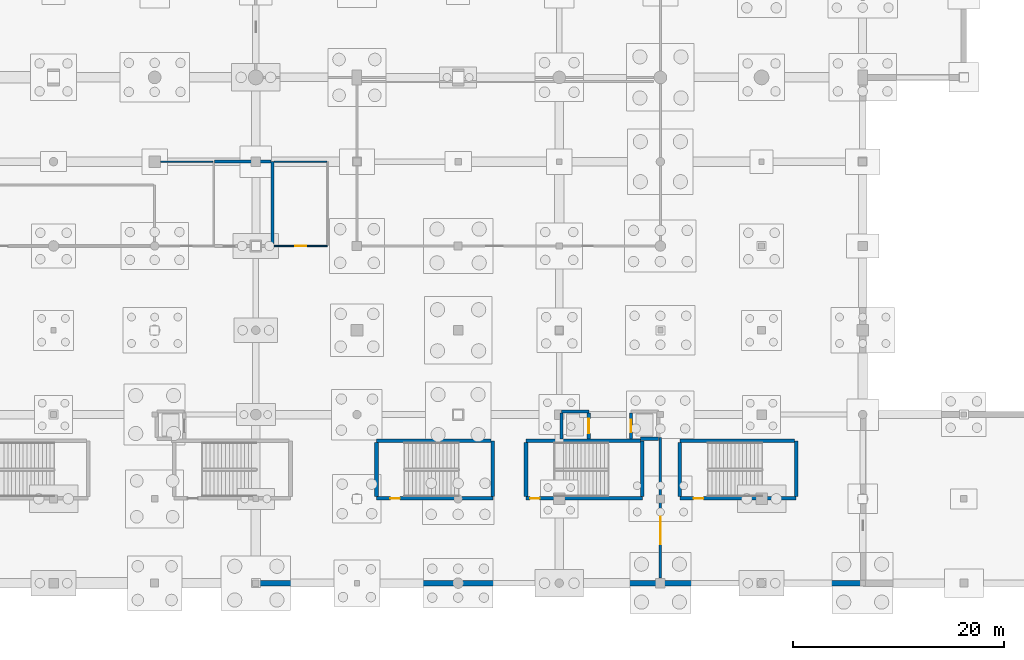
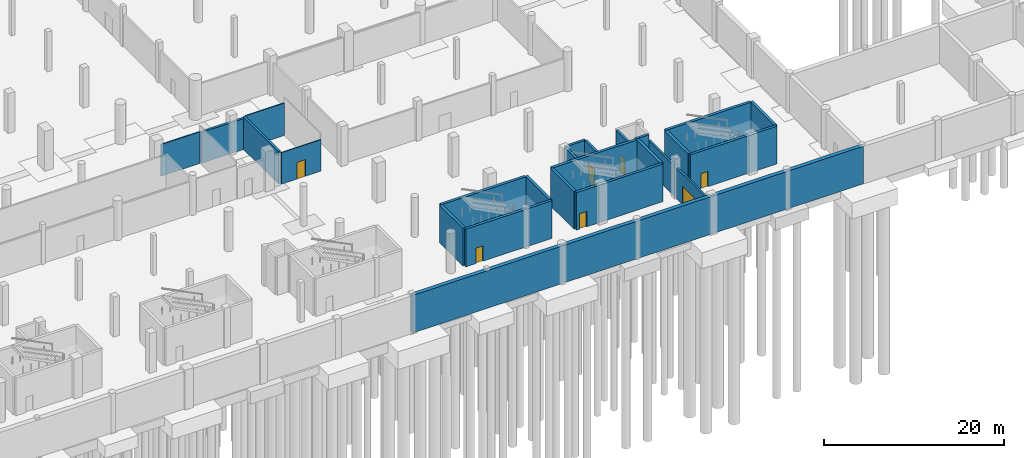
# One storey, part 19 of 44: 24 walls, 7 doors, 7 openings.
"""IFC4 building model written with IfcOpenShell, lengths in metres."""

from ifc_helpers import new_model, si_unit, direction, frame, frame_2d, origin, place, context, subcontext, project, spatial, rectangle, extrude, material, layer, layer_set, type_object, element, fill, save


model = new_model("IFC4")

# Units and contexts
model_context = context("Model", 3, precision=1e-05, world=origin(), true_north=direction((0.0, 1.0)))
body_context = subcontext(model_context, "Body", "Model", "MODEL_VIEW")
ifc_project = project(units=[si_unit("LENGTHUNIT", "METRE"), si_unit("AREAUNIT", "SQUARE_METRE"), si_unit("VOLUMEUNIT", "CUBIC_METRE"), si_unit("PLANEANGLEUNIT", "RADIAN"), si_unit("MASSUNIT", "GRAM", prefix="KILO")], contexts=[model_context])

# Site, building, storey
site_placement = place(None, origin())
site = spatial("IfcSite", under=ifc_project, at=site_placement, CompositionType="ELEMENT")
building_placement = place(site_placement, origin())
building = spatial("IfcBuilding", under=site, at=building_placement, Name="Danafjord Basin Convention Centre", CompositionType="ELEMENT")
storey_placement = place(building_placement, frame((0.0, 0.0, -5.39990234375)))
storey = spatial("IfcBuildingStorey", under=building, at=storey_placement, Name="B1", CompositionType="ELEMENT", Elevation=-5.39990234375)

# Wall
ifc_material_1 = material(Name="Concrete C40/50", Category="concrete")
ifc_layer_1 = layer(ifc_material_1, 0.300048828125)
ifc_layer_set_1 = layer_set([ifc_layer_1], Name="Concrete C40/50")
wall_type_1 = type_object("IfcWallType", Name="WALL-CW-CORE300", PredefinedType="SHEAR", material=ifc_layer_set_1)
wall_1_placement = place(storey_placement, frame((89.199951171875, 24.300048828125, 0.0), z_axis=(0.0, 0.0, 1.0), x_axis=(-1.0, 0.0, 0.0)))
element("IfcWall", 1, at=wall_1_placement, inside=storey, type_object=wall_type_1, Name="Lift LF-FF02 shaft shear wall", PredefinedType="SHEAR", context=body_context, shape_type="SweptSolid", body=[
    extrude(rectangle(XDim=2.599853515625, YDim=0.300048828125, at=frame_2d((1.2998046875, 0.0))), origin(), (0.0, 0.0, 1.0), 5.08984375),
])

# Wall, opening, door
wall_2_placement = place(storey_placement, frame((89.199951171875, 21.6650390625, 0.0), z_axis=(0.0, 0.0, 1.0), x_axis=(0.0, 1.0, 0.0)))
wall_2 = element("IfcWall", 2, at=wall_2_placement, inside=storey, type_object=wall_type_1, Name="Lift LF-FF02 shaft shear wall", PredefinedType="SHEAR", context=body_context, shape_type="SweptSolid", body=[
    extrude(rectangle(XDim=2.5, YDim=0.300048828125, at=frame_2d((1.25, 0.0))), origin(), (0.0, 0.0, 1.0), 5.08984375),
])
opening_1_placement = place(wall_2_placement, frame((0.550048828125, 0.0, 0.0)))
opening_1 = element("IfcOpeningElement", 3, at=opening_1_placement, cuts=wall_2, Name="Opening LD-F01", PredefinedType="OPENING", context=body_context, shape_type="SweptSolid", body=[
    extrude(rectangle(XDim=1.39990234375, YDim=2.260009765625, at=frame_2d((0.699951171875, 1.1298828125))), frame((0.0, 0.159912109375, 0.0), z_axis=(0.0, -1.0, 0.0), x_axis=(1.0, 0.0, 0.0)), (0.0, 0.0, 1.0), 0.320068359375),
])
ifc_material_2 = material(Name="Brushed stainless steel and acoustic laminated glass", Category="steel")
door_type_1 = type_object("IfcDoorType", Name="DOOR-LD-F01", OperationType="DOUBLE_DOOR_SLIDING", PredefinedType="DOOR", material=ifc_material_2)
door_1_placement = place(opening_1_placement, origin())
door_1 = element("IfcDoor", 4, at=door_1_placement, inside=storey, type_object=door_type_1, Name="Lift LF-FF02 B1 Landing Door", OperationType="DOUBLE_DOOR_SLIDING", OverallHeight=2.260009765625, OverallWidth=1.39990234375, PredefinedType="DOOR", context=body_context, shape_type="SweptSolid", body=[
    extrude(rectangle(XDim=1.39990234375, YDim=2.260009765625, at=frame_2d((0.699951171875, 1.1298828125))), frame((0.0, 0.02490234375, 0.0), z_axis=(0.0, -1.0, 0.0), x_axis=(1.0, 0.0, 0.0)), (0.0, 0.0, 1.0), 0.050048828125),
])
fill(opening_1, door_1)

# Walls
wall_3_placement = place(storey_placement, frame((86.60009765625, 24.1650390625, 0.0), z_axis=(0.0, 0.0, 1.0), x_axis=(0.0, -1.0, 0.0)))
element("IfcWall", 5, at=wall_3_placement, inside=storey, type_object=wall_type_1, Name="Lift LF-FF02 shaft shear wall", PredefinedType="SHEAR", context=body_context, shape_type="SweptSolid", body=[
    extrude(rectangle(XDim=2.5, YDim=0.300048828125, at=frame_2d((1.25, 0.0))), origin(), (0.0, 0.0, 1.0), 5.08984375),
])
wall_4_placement = place(storey_placement, frame((94.110107421875, 21.699951171875, 0.0), z_axis=(0.0, 0.0, 1.0), x_axis=(1.0, 0.0, 0.0)))
element("IfcWall", 6, at=wall_4_placement, inside=storey, type_object=wall_type_1, Name="Lift LF-P02 shaft shear wall", PredefinedType="SHEAR", context=body_context, shape_type="SweptSolid", body=[
    extrude(rectangle(XDim=1.68994140625, YDim=0.300048828125, at=frame_2d((0.844970703125, 0.0))), origin(), (0.0, 0.0, 1.0), 5.08984375),
])

# Wall, opening, door
wall_5_placement = place(storey_placement, frame((93.199951171875, 24.1650390625, 0.0), z_axis=(0.0, 0.0, 1.0), x_axis=(0.0, -1.0, 0.0)))
wall_5 = element("IfcWall", 7, at=wall_5_placement, inside=storey, type_object=wall_type_1, Name="Lift LF-P02 shaft shear wall", PredefinedType="SHEAR", context=body_context, shape_type="SweptSolid", body=[
    extrude(rectangle(XDim=2.5, YDim=0.300048828125, at=frame_2d((1.25, 0.0))), origin(), (0.0, 0.0, 1.0), 5.08984375),
])
opening_2_placement = place(wall_5_placement, frame((0.64990234375, 0.0, 0.0)))
opening_2 = element("IfcOpeningElement", 8, at=opening_2_placement, cuts=wall_5, Name="Opening LD-P01", PredefinedType="OPENING", context=body_context, shape_type="SweptSolid", body=[
    extrude(rectangle(XDim=1.199951171875, YDim=2.199951171875, at=frame_2d((0.60009765625, 1.10009765625))), frame((0.0, 0.159912109375, 0.0), z_axis=(0.0, -1.0, 0.0), x_axis=(1.0, 0.0, 0.0)), (0.0, 0.0, 1.0), 0.320068359375),
])
door_type_2 = type_object("IfcDoorType", Name="DOOR-LD-P01", OperationType="DOUBLE_DOOR_SLIDING", PredefinedType="DOOR", material=ifc_material_2)
door_2_placement = place(opening_2_placement, origin())
door_2 = element("IfcDoor", 9, at=door_2_placement, inside=storey, type_object=door_type_2, Name="Lift LF-P02 B1 Landing Door", OperationType="DOUBLE_DOOR_SLIDING", OverallHeight=2.199951171875, OverallWidth=1.199951171875, PredefinedType="DOOR", context=body_context, shape_type="SweptSolid", body=[
    extrude(rectangle(XDim=1.199951171875, YDim=2.199951171875, at=frame_2d((0.60009765625, 1.10009765625))), frame((0.0, 0.02490234375, 0.0), z_axis=(0.0, -1.0, 0.0), x_axis=(1.0, 0.0, 0.0)), (0.0, 0.0, 1.0), 0.050048828125),
])
fill(opening_2, door_2)

ifc_material_3 = material(Name="Concrete C45/55", Category="concrete")
ifc_layer_2 = layer(ifc_material_3, 0.35009765625)
ifc_layer_set_2 = layer_set([ifc_layer_2], Name="Concrete C45/55")
wall_type_2 = type_object("IfcWallType", Name="WALL-CW-CORE350", PredefinedType="SHEAR", material=ifc_layer_set_2)
wall_6_placement = place(storey_placement, frame((83.25, 16.050048828125, 0.0), z_axis=(0.0, 0.0, 1.0), x_axis=(1.0, 0.0, 0.0)))
wall_6 = element("IfcWall", 10, at=wall_6_placement, inside=storey, type_object=wall_type_2, Name="Central Harbour Core Stair 1 core shear wall (south)", PredefinedType="SHEAR", context=body_context, shape_type="SweptSolid", body=[
    extrude(rectangle(XDim=11.0400390625, YDim=0.35009765625, at=frame_2d((5.52001953125, 0.0))), origin(), (0.0, 0.0, 1.0), 5.08984375),
])
opening_3_placement = place(wall_6_placement, frame((0.3798828125, 0.0, 0.0)))
opening_3 = element("IfcOpeningElement", 11, at=opening_3_placement, cuts=wall_6, Name="Opening FD-S01", PredefinedType="OPENING", context=body_context, shape_type="SweptSolid", body=[
    extrude(rectangle(XDim=0.909912109375, YDim=2.080078125, at=frame_2d((0.455078125, 1.0400390625))), frame((0.0, 0.18505859375, 0.0), z_axis=(0.0, -1.0, 0.0), x_axis=(1.0, 0.0, 0.0)), (0.0, 0.0, 1.0), 0.3701171875),
])
ifc_material_4 = material(Name="Powder-coated steel and Nordic oak", Category="steel")
door_type_3 = type_object("IfcDoorType", Name="DOOR-FD-S01", OperationType="NOTDEFINED", PredefinedType="DOOR", material=ifc_material_4)
door_3_placement = place(opening_3_placement, origin())
door_3 = element("IfcDoor", 12, at=door_3_placement, inside=storey, type_object=door_type_3, Name="Central Harbour Core Stair 1 B1 Fire Exit Door", OperationType="SINGLE_SWING_LEFT", OverallHeight=2.080078125, OverallWidth=0.909912109375, PredefinedType="DOOR", context=body_context, shape_type="SweptSolid", body=[
    extrude(rectangle(XDim=0.909912109375, YDim=2.080078125, at=frame_2d((0.455078125, 1.0400390625))), frame((0.0, 0.02490234375, 0.0), z_axis=(0.0, -1.0, 0.0), x_axis=(1.0, 0.0, 0.0)), (0.0, 0.0, 1.0), 0.050048828125),
])
fill(opening_3, door_3)

# Walls
wall_7_placement = place(storey_placement, frame((94.2900390625, 16.2099609375, 0.0), z_axis=(0.0, 0.0, 1.0), x_axis=(0.0, 1.0, 0.0)))
element("IfcWall", 13, at=wall_7_placement, inside=storey, type_object=wall_type_2, Name="Central Harbour Core Stair 1 core shear wall (east)", PredefinedType="SHEAR", context=body_context, shape_type="SweptSolid", body=[
    extrude(rectangle(XDim=5.300048828125, YDim=0.35009765625, at=frame_2d((2.64990234375, 0.0))), origin(), (0.0, 0.0, 1.0), 5.08984375),
])
wall_8_placement = place(storey_placement, frame((94.1298828125, 21.510009765625, 0.0), z_axis=(0.0, 0.0, 1.0), x_axis=(-1.0, 0.0, 0.0)))
element("IfcWall", 14, at=wall_8_placement, inside=storey, type_object=wall_type_2, Name="Central Harbour Core Stair 1 core shear wall (north)", PredefinedType="SHEAR", context=body_context, shape_type="SweptSolid", body=[
    extrude(rectangle(XDim=10.8798828125, YDim=0.35009765625, at=frame_2d((5.43994140625, 0.0))), origin(), (0.0, 0.0, 1.0), 5.08984375),
])
wall_9_placement = place(storey_placement, frame((83.25, 21.35009765625, 0.0), z_axis=(0.0, 0.0, 1.0), x_axis=(0.0, -1.0, 0.0)))
element("IfcWall", 15, at=wall_9_placement, inside=storey, type_object=wall_type_2, Name="Central Harbour Core Stair 1 core shear wall (west)", PredefinedType="SHEAR", context=body_context, shape_type="SweptSolid", body=[
    extrude(rectangle(XDim=5.14013671875, YDim=0.35009765625, at=frame_2d((2.570068359375, 0.0))), origin(), (0.0, 0.0, 1.0), 5.08984375),
])

# Wall, opening, door
wall_10_placement = place(storey_placement, frame((97.85009765625, 16.050048828125, 0.0), z_axis=(0.0, 0.0, 1.0), x_axis=(1.0, 0.0, 0.0)))
wall_10 = element("IfcWall", 16, at=wall_10_placement, inside=storey, type_object=wall_type_2, Name="East Harbour Escape Stair 2 core shear wall (south)", PredefinedType="SHEAR", context=body_context, shape_type="SweptSolid", body=[
    extrude(rectangle(XDim=11.039794921875, YDim=0.35009765625, at=frame_2d((5.52001953125, 0.0))), origin(), (0.0, 0.0, 1.0), 5.08984375),
])
opening_4_placement = place(wall_10_placement, frame((1.31201171875, 0.0, 0.0)))
opening_4 = element("IfcOpeningElement", 17, at=opening_4_placement, cuts=wall_10, Name="Opening FD-S01", PredefinedType="OPENING", context=body_context, shape_type="SweptSolid", body=[
    extrude(rectangle(XDim=0.909912109375, YDim=2.080078125, at=frame_2d((0.455078125, 1.0400390625))), frame((0.0, 0.18505859375, 0.0), z_axis=(0.0, -1.0, 0.0), x_axis=(1.0, 0.0, 0.0)), (0.0, 0.0, 1.0), 0.3701171875),
])
door_4_placement = place(opening_4_placement, origin())
door_4 = element("IfcDoor", 18, at=door_4_placement, inside=storey, type_object=door_type_3, Name="East Harbour Escape Stair 2 B1 Fire Exit Door", OperationType="SINGLE_SWING_LEFT", OverallHeight=2.080078125, OverallWidth=0.909912109375, PredefinedType="DOOR", context=body_context, shape_type="SweptSolid", body=[
    extrude(rectangle(XDim=0.909912109375, YDim=2.080078125, at=frame_2d((0.455078125, 1.0400390625))), frame((0.0, 0.02490234375, 0.0), z_axis=(0.0, -1.0, 0.0), x_axis=(1.0, 0.0, 0.0)), (0.0, 0.0, 1.0), 0.050048828125),
])
fill(opening_4, door_4)

# Walls
wall_11_placement = place(storey_placement, frame((108.889892578125, 16.2099609375, 0.0), z_axis=(0.0, 0.0, 1.0), x_axis=(0.0, 1.0, 0.0)))
element("IfcWall", 19, at=wall_11_placement, inside=storey, type_object=wall_type_2, Name="East Harbour Escape Stair 2 core shear wall (east)", PredefinedType="SHEAR", context=body_context, shape_type="SweptSolid", body=[
    extrude(rectangle(XDim=5.300048828125, YDim=0.35009765625, at=frame_2d((2.64990234375, 0.0))), origin(), (0.0, 0.0, 1.0), 5.08984375),
])
wall_12_placement = place(storey_placement, frame((108.72998046875, 21.510009765625, 0.0), z_axis=(0.0, 0.0, 1.0), x_axis=(-1.0, 0.0, 0.0)))
element("IfcWall", 20, at=wall_12_placement, inside=storey, type_object=wall_type_2, Name="East Harbour Escape Stair 2 core shear wall (north)", PredefinedType="SHEAR", context=body_context, shape_type="SweptSolid", body=[
    extrude(rectangle(XDim=10.8798828125, YDim=0.35009765625, at=frame_2d((5.43994140625, 0.0))), origin(), (0.0, 0.0, 1.0), 5.08984375),
])
wall_13_placement = place(storey_placement, frame((97.85009765625, 21.35009765625, 0.0), z_axis=(0.0, 0.0, 1.0), x_axis=(0.0, -1.0, 0.0)))
element("IfcWall", 21, at=wall_13_placement, inside=storey, type_object=wall_type_2, Name="East Harbour Escape Stair 2 core shear wall (west)", PredefinedType="SHEAR", context=body_context, shape_type="SweptSolid", body=[
    extrude(rectangle(XDim=5.14013671875, YDim=0.35009765625, at=frame_2d((2.570068359375, 0.0))), origin(), (0.0, 0.0, 1.0), 5.08984375),
])

# Wall, opening, door
wall_14_placement = place(storey_placement, frame((69.050048828125, 16.050048828125, 0.0), z_axis=(0.0, 0.0, 1.0), x_axis=(1.0, 0.0, 0.0)))
wall_14 = element("IfcWall", 22, at=wall_14_placement, inside=storey, type_object=wall_type_2, Name="Mid-Arc Escape Stair 2 core shear wall (south)", PredefinedType="SHEAR", context=body_context, shape_type="SweptSolid", body=[
    extrude(rectangle(XDim=11.0400390625, YDim=0.35009765625, at=frame_2d((5.52001953125, 0.0))), origin(), (0.0, 0.0, 1.0), 5.08984375),
])
opening_5_placement = place(wall_14_placement, frame((1.31201171875, 0.0, 0.0)))
opening_5 = element("IfcOpeningElement", 23, at=opening_5_placement, cuts=wall_14, Name="Opening FD-S01", PredefinedType="OPENING", context=body_context, shape_type="SweptSolid", body=[
    extrude(rectangle(XDim=0.909912109375, YDim=2.080078125, at=frame_2d((0.455078125, 1.0400390625))), frame((0.0, 0.18505859375, 0.0), z_axis=(0.0, -1.0, 0.0), x_axis=(1.0, 0.0, 0.0)), (0.0, 0.0, 1.0), 0.3701171875),
])
door_5_placement = place(opening_5_placement, origin())
door_5 = element("IfcDoor", 24, at=door_5_placement, inside=storey, type_object=door_type_3, Name="Mid-Arc Escape Stair 2 B1 Fire Exit Door", OperationType="SINGLE_SWING_RIGHT", OverallHeight=2.080078125, OverallWidth=0.909912109375, PredefinedType="DOOR", context=body_context, shape_type="SweptSolid", body=[
    extrude(rectangle(XDim=0.909912109375, YDim=2.080078125, at=frame_2d((0.455078125, 1.0400390625))), frame((0.0, 0.02490234375, 0.0), z_axis=(0.0, -1.0, 0.0), x_axis=(1.0, 0.0, 0.0)), (0.0, 0.0, 1.0), 0.050048828125),
])
fill(opening_5, door_5)

# Walls
wall_15_placement = place(storey_placement, frame((80.090087890625, 16.2099609375, 0.0), z_axis=(0.0, 0.0, 1.0), x_axis=(0.0, 1.0, 0.0)))
element("IfcWall", 25, at=wall_15_placement, inside=storey, type_object=wall_type_2, Name="Mid-Arc Escape Stair 2 core shear wall (east)", PredefinedType="SHEAR", context=body_context, shape_type="SweptSolid", body=[
    extrude(rectangle(XDim=5.300048828125, YDim=0.35009765625, at=frame_2d((2.64990234375, 0.0))), origin(), (0.0, 0.0, 1.0), 5.08984375),
])
wall_16_placement = place(storey_placement, frame((79.929931640625, 21.510009765625, 0.0), z_axis=(0.0, 0.0, 1.0), x_axis=(-1.0, 0.0, 0.0)))
element("IfcWall", 26, at=wall_16_placement, inside=storey, type_object=wall_type_2, Name="Mid-Arc Escape Stair 2 core shear wall (north)", PredefinedType="SHEAR", context=body_context, shape_type="SweptSolid", body=[
    extrude(rectangle(XDim=10.8798828125, YDim=0.35009765625, at=frame_2d((5.43994140625, 0.0))), origin(), (0.0, 0.0, 1.0), 5.08984375),
])
wall_17_placement = place(storey_placement, frame((69.050048828125, 21.35009765625, 0.0), z_axis=(0.0, 0.0, 1.0), x_axis=(0.0, -1.0, 0.0)))
element("IfcWall", 27, at=wall_17_placement, inside=storey, type_object=wall_type_2, Name="Mid-Arc Escape Stair 2 core shear wall (west)", PredefinedType="SHEAR", context=body_context, shape_type="SweptSolid", body=[
    extrude(rectangle(XDim=5.14013671875, YDim=0.35009765625, at=frame_2d((2.570068359375, 0.0))), origin(), (0.0, 0.0, 1.0), 5.08984375),
])
ifc_layer_3 = layer(ifc_material_1, 0.5)
ifc_layer_set_3 = layer_set([ifc_layer_3], Name="Concrete C40/50")
wall_type_3 = type_object("IfcWallType", Name="WALL-EW-RET500", PredefinedType="SHEAR", material=ifc_layer_set_3)
wall_18_placement = place(storey_placement, frame((115.27001953125, 8.0, 0.0), z_axis=(0.0, 0.0, 1.0), x_axis=(-1.0, 0.0, 0.0)))
element("IfcWall", 28, at=wall_18_placement, inside=storey, type_object=wall_type_3, Name="B1 waterproofed basement retaining wall 26", PredefinedType="SHEAR", context=body_context, shape_type="SweptSolid", body=[
    extrude(rectangle(XDim=57.669921875, YDim=0.5, at=frame_2d((28.8349609375, 0.0))), origin(), (0.0, 0.0, 1.0), 5.08984375),
])
ifc_material_5 = material(Name="Sanitary service-chase stud wall")
ifc_layer_4 = layer(ifc_material_5, 0.284912109375)
ifc_layer_set_4 = layer_set([ifc_layer_4], Name="Sanitary service-chase stud wall")
wall_type_4 = type_object("IfcWallType", Name="WALL-PT-PLB285", PredefinedType="PLUMBINGWALL", material=ifc_layer_set_4)
wall_19_placement = place(storey_placement, frame((59.199951171875, 40.146484375, 0.0), z_axis=(0.0, 0.0, 1.0), x_axis=(0.0, 1.0, 0.0)))
element("IfcWall", 29, at=wall_19_placement, inside=storey, type_object=wall_type_4, Name="Basement Staff Female Toilet east partition", PredefinedType="PLUMBINGWALL", context=body_context, shape_type="SweptSolid", body=[
    extrude(rectangle(XDim=7.853515625, YDim=0.284912109375, at=frame_2d((3.9267578125, 0.0))), origin(), (0.0, 0.0, 1.0), 4.389892578125),
])
wall_20_placement = place(storey_placement, frame((59.053466796875, 48.0, 0.0), z_axis=(0.0, 0.0, 1.0), x_axis=(-1.0, 0.0, 0.0)))
element("IfcWall", 30, at=wall_20_placement, inside=storey, type_object=wall_type_4, Name="Basement Staff Female Toilet north partition", PredefinedType="PLUMBINGWALL", context=body_context, shape_type="SweptSolid", body=[
    extrude(rectangle(XDim=5.389404296875, YDim=0.284912109375, at=frame_2d((2.69482421875, 0.0))), origin(), (0.0, 0.0, 1.0), 4.18994140625),
])
ifc_material_6 = material(Name="Moisture-resistant gypsum stud partition")
ifc_layer_5 = layer(ifc_material_6, 0.1201171875)
ifc_layer_set_5 = layer_set([ifc_layer_5], Name="Moisture-resistant gypsum stud partition")
wall_type_5 = type_object("IfcWallType", Name="WALL-PT-ST120", PredefinedType="PARTITIONING", material=ifc_layer_set_5)
wall_21_placement = place(storey_placement, frame((53.535888671875, 48.0, 0.0), z_axis=(0.0, 0.0, 1.0), x_axis=(-1.0, 0.0, 0.0)))
element("IfcWall", 31, at=wall_21_placement, inside=storey, type_object=wall_type_5, Name="Basement Staff Male Toilet north partition", PredefinedType="PARTITIONING", context=body_context, shape_type="SweptSolid", body=[
    extrude(rectangle(XDim=4.975830078125, YDim=0.1201171875, at=frame_2d((2.48779296875, 0.0))), origin(), (0.0, 0.0, 1.0), 4.289794921875),
])

# Wall, opening, door
wall_22_placement = place(storey_placement, frame((59.346435546875, 40.0, 0.0), z_axis=(0.0, 0.0, 1.0), x_axis=(1.0, 0.0, 0.0)))
wall_22 = element("IfcWall", 32, at=wall_22_placement, inside=storey, type_object=wall_type_5, Name="Basement Accessible WC south partition", PredefinedType="PARTITIONING", context=body_context, shape_type="SweptSolid", body=[
    extrude(rectangle(XDim=5.053466796875, YDim=0.1201171875, at=frame_2d((2.52685546875, 0.0))), origin(), (0.0, 0.0, 1.0), 4.260009765625),
])
opening_6_placement = place(wall_22_placement, frame((1.991943359375, 0.0, 0.0)))
opening_6 = element("IfcOpeningElement", 33, at=opening_6_placement, cuts=wall_22, Name="Opening FD-S14", PredefinedType="OPENING", context=body_context, shape_type="SweptSolid", body=[
    extrude(rectangle(XDim=1.070068359375, YDim=2.260009765625, at=frame_2d((0.53515625, 1.1298828125))), frame((0.0, 0.070068359375, 0.0), z_axis=(0.0, -1.0, 0.0), x_axis=(1.0, 0.0, 0.0)), (0.0, 0.0, 1.0), 0.14013671875),
])
door_type_4 = type_object("IfcDoorType", Name="DOOR-FD-S14", OperationType="NOTDEFINED", PredefinedType="DOOR", material=ifc_material_4)
door_6_placement = place(opening_6_placement, origin())
door_6 = element("IfcDoor", 34, at=door_6_placement, inside=storey, type_object=door_type_4, Name="Basement Accessible WC Entrance Door", OperationType="SINGLE_SWING_RIGHT", OverallHeight=2.260009765625, OverallWidth=1.070068359375, PredefinedType="DOOR", context=body_context, shape_type="SweptSolid", body=[
    extrude(rectangle(XDim=1.070068359375, YDim=2.260009765625, at=frame_2d((0.53515625, 1.1298828125))), frame((0.0, 0.02490234375, 0.0), z_axis=(0.0, -1.0, 0.0), x_axis=(1.0, 0.0, 0.0)), (0.0, 0.0, 1.0), 0.050048828125),
])
fill(opening_6, door_6)

# Wall
wall_23_placement = place(storey_placement, frame((64.3359375, 48.0, 0.0), z_axis=(0.0, 0.0, 1.0), x_axis=(-1.0, 0.0, 0.0)))
element("IfcWall", 35, at=wall_23_placement, inside=storey, type_object=wall_type_5, Name="Basement Accessible WC north partition", PredefinedType="PARTITIONING", context=body_context, shape_type="SweptSolid", body=[
    extrude(rectangle(XDim=4.989501953125, YDim=0.1201171875, at=frame_2d((2.49462890625, 0.0))), origin(), (0.0, 0.0, 1.0), 4.389892578125),
])

# Wall, opening, door
ifc_material_7 = material(Name="Concrete C35/45", Category="concrete")
ifc_layer_6 = layer(ifc_material_7, 0.25)
ifc_layer_set_6 = layer_set([ifc_layer_6], Name="Concrete C35/45")
wall_type_6 = type_object("IfcWallType", Name="WALL-W-COMP250", PredefinedType="SOLIDWALL", material=ifc_layer_set_6)
wall_24_placement = place(storey_placement, frame((96.0, 8.493896484375, 0.0), z_axis=(0.0, 0.0, 1.0), x_axis=(0.0, 1.0, 0.0)))
wall_24 = element("IfcWall", 36, at=wall_24_placement, inside=storey, type_object=wall_type_6, Name="Basement freight marshalling fire compartment wall", PredefinedType="SOLIDWALL", context=body_context, shape_type="SweptSolid", body=[
    extrude(rectangle(XDim=13.3330078125, YDim=0.25, at=frame_2d((6.66650390625, 0.0))), origin(), (0.0, 0.0, 1.0), 4.159912109375),
])
opening_7_placement = place(wall_24_placement, frame((3.219970703125, 0.0, 0.0)))
opening_7 = element("IfcOpeningElement", 37, at=opening_7_placement, cuts=wall_24, Name="Opening GT-01", PredefinedType="OPENING", context=body_context, shape_type="SweptSolid", body=[
    extrude(rectangle(XDim=2.60009765625, YDim=2.5, at=frame_2d((1.300048828125, 1.25))), frame((0.0, 0.135009765625, 0.0), z_axis=(0.0, -1.0, 0.0), x_axis=(1.0, 0.0, 0.0)), (0.0, 0.0, 1.0), 0.27001953125),
])
door_type_5 = type_object("IfcDoorType", Name="DOOR-GT-01", OperationType="DOUBLE_DOOR_SINGLE_SWING", PredefinedType="GATE", material=ifc_material_2)
door_7_placement = place(opening_7_placement, origin())
door_7 = element("IfcDoor", 38, at=door_7_placement, inside=storey, type_object=door_type_5, Name="Basement Truck Marshalling Gate", OperationType="DOUBLE_DOOR_SINGLE_SWING", OverallHeight=2.5, OverallWidth=2.60009765625, PredefinedType="GATE", context=body_context, shape_type="SweptSolid", body=[
    extrude(rectangle(XDim=2.60009765625, YDim=2.5, at=frame_2d((1.300048828125, 1.25))), frame((0.0, 0.02490234375, 0.0), z_axis=(0.0, -1.0, 0.0), x_axis=(1.0, 0.0, 0.0)), (0.0, 0.0, 1.0), 0.050048828125),
])
fill(opening_7, door_7)

save(model, "model.ifc")
